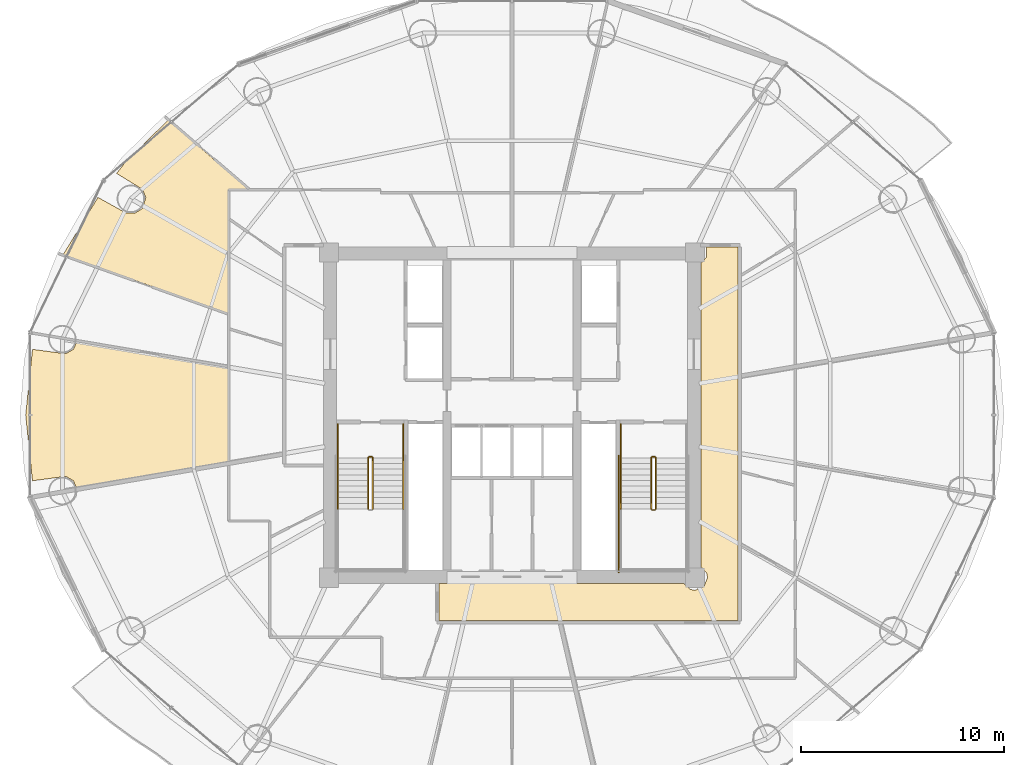
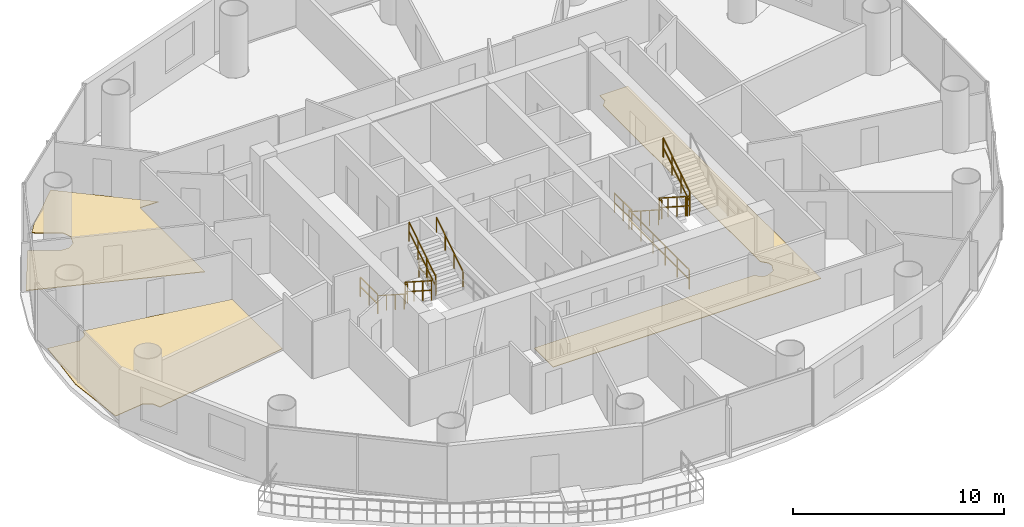
# One storey, part 25 of 26: 14 railings, 3 coverings.
"""IFC4 building model written with IfcOpenShell, lengths in metres."""

from ifc_helpers import new_model, si_unit, direction, frame, origin, origin_2d, place, context, subcontext, project, spatial, polyline, rectangle, outline, extrude, material, layer, layer_set, type_object, element, save


model = new_model("IFC4")

# Units and contexts
model_context = context("Model", 3, precision=1e-05, world=origin(), true_north=direction((-0.2419218956, 0.970295726276)))
body_context = subcontext(model_context, "Body", "Model", "MODEL_VIEW")
ifc_project = project(units=[si_unit("LENGTHUNIT", "METRE"), si_unit("AREAUNIT", "SQUARE_METRE"), si_unit("VOLUMEUNIT", "CUBIC_METRE"), si_unit("PLANEANGLEUNIT", "RADIAN"), si_unit("MASSUNIT", "GRAM", prefix="KILO")], contexts=[model_context])

# Site, building, storey
site_placement = place(None, origin())
site = spatial("IfcSite", under=ifc_project, at=site_placement, CompositionType="ELEMENT")
building_placement = place(site_placement, origin())
building = spatial("IfcBuilding", under=site, at=building_placement, Name="Cobrevalo Terracotta Tower", CompositionType="ELEMENT")
storey_placement = place(building_placement, frame((0.0, 0.0, 142.60009765625)))
storey = spatial("IfcBuildingStorey", under=building, at=storey_placement, Name="L37", CompositionType="ELEMENT", Elevation=142.60009765625)

# Coverings
ifc_material_1 = material(Name="Engineered Brazilian hardwood flooring", Category="wood")
ifc_layer_1 = layer(ifc_material_1, 0.028076171875)
ifc_layer_set_1 = layer_set([ifc_layer_1], Name="Engineered Brazilian hardwood flooring")
covering_type_1 = type_object("IfcCoveringType", Name="Engineered Hardwood Suite Flooring 28", PredefinedType="FLOORING", material=ifc_layer_set_1)
covering_1_placement = place(storey_placement, origin())
element("IfcCovering", 1, at=covering_1_placement, inside=storey, type_object=covering_type_1, Name="Flat L37B Master Bedroom floor finish", PredefinedType="FLOORING", context=body_context, shape_type="SweptSolid", body=[
    extrude(outline(polyline([(17.632568359375, 37.50634765625), (19.017822265625, 36.736572265625), (19.447265625, 36.725830078125), (19.810302734375, 36.955322265625), (19.988525390625, 37.4931640625), (19.834228515625, 37.89404296875), (18.551513671875, 38.6865234375), (19.02197265625, 39.29052734375), (21.0888671875, 41.308837890625), (25.049072265625, 37.905029296875), (24.044921875, 37.905029296875), (24.044921875, 31.78955078125), (15.918212890625, 34.6826171875), (17.632568359375, 37.50634765625)])), origin(), (0.0, 0.0, 1.0), 0.02978515625),
])
covering_2_placement = place(storey_placement, origin())
element("IfcCovering", 2, at=covering_2_placement, inside=storey, type_object=covering_type_1, Name="Flat L37B Penthouse Family Lounge floor finish", PredefinedType="FLOORING", context=body_context, shape_type="SweptSolid", body=[
    extrude(outline(polyline([(14.41357421875, 30.03369140625), (16.048583984375, 29.814697265625), (16.421630859375, 30.028076171875), (16.611572265625, 30.436279296875), (24.044921875, 29.16552734375), (24.044921875, 24.4345703125), (16.611572265625, 23.16357421875), (16.421630859375, 23.572021484375), (16.048583984375, 23.785400390625), (14.41357421875, 23.566162109375), (14.080078125, 26.800048828125), (14.41357421875, 30.03369140625)])), origin(), (0.0, 0.0, 1.0), 0.02978515625),
])
ifc_material_2 = material(Name="Honed terracotta and granite tile", Category="masonry")
ifc_layer_2 = layer(ifc_material_2, 0.034912109375)
ifc_layer_set_2 = layer_set([ifc_layer_2], Name="Honed terracotta and granite tile")
covering_type_2 = type_object("IfcCoveringType", Name="Honed Terracotta & Granite Interior Flooring 35", PredefinedType="FLOORING", material=ifc_layer_set_2)
covering_3_placement = place(storey_placement, origin())
element("IfcCovering", 3, at=covering_3_placement, inside=storey, type_object=covering_type_2, Name="L37 Residential Floor Corridor 1 floor finish", PredefinedType="FLOORING", context=body_context, shape_type="SweptSolid", body=[
    extrude(outline(polyline([(34.419921875, 18.5048828125), (46.46533203125, 18.5048828125), (46.7626953125, 18.226806640625), (47.0, 18.1796875), (47.438720703125, 18.361328125), (47.620361328125, 18.800048828125), (47.5732421875, 19.037353515625), (47.294921875, 19.334716796875), (47.294921875, 34.265380859375), (47.5732421875, 34.5625), (47.5615234375, 35.054931640625), (49.10498046875, 35.054931640625), (49.10498046875, 16.695068359375), (34.419921875, 16.695068359375), (34.419921875, 18.5048828125)])), origin(), (0.0, 0.0, 1.0), 0.02978515625),
])

# Railings
ifc_material_3 = material(Name="Brushed stainless steel", Category="steel")
railing_type_1 = type_object("IfcRailingType", Name="Stainless Steel Stair Handrail 900", PredefinedType="HANDRAIL", material=ifc_material_3)
railing_1_placement = place(storey_placement, frame((29.425048828125, 24.699951171875, 0.179931640625)))
element("IfcRailing", 4, at=railing_1_placement, inside=storey, type_object=railing_type_1, Name="L37 ST-1 stair handrail 1", PredefinedType="HANDRAIL", context=body_context, shape_type="SweptSolid", body=[
    extrude(rectangle(XDim=0.048095703125, YDim=0.048095703125, at=origin_2d()), frame((0.0, 0.0, 0.8759765625), z_axis=(0.0, -0.841199657755, 0.540724639528), x_axis=(1.0, 0.0, 0.0)), (0.0, 0.0, 1.0), 2.995849609375),
    extrude(rectangle(XDim=0.0419921875, YDim=0.0419921875, at=origin_2d()), origin(), (0.0, 0.0, 1.0), 0.851806640625),
    extrude(rectangle(XDim=0.0419921875, YDim=0.0419921875, at=origin_2d()), frame((0.0, -0.840087890625, 0.5400390625)), (0.0, 0.0, 1.0), 0.851806640625),
    extrude(rectangle(XDim=0.0419921875, YDim=0.0419921875, at=origin_2d()), frame((0.0, -1.679931640625, 1.079833984375)), (0.0, 0.0, 1.0), 0.851806640625),
    extrude(rectangle(XDim=0.0419921875, YDim=0.0419921875, at=origin_2d()), frame((0.0, -2.52001953125, 1.619873046875)), (0.0, 0.0, 1.0), 0.851806640625),
])
railing_2_placement = place(storey_placement, frame((32.64501953125, 22.179931640625, 1.97998046875)))
element("IfcRailing", 5, at=railing_2_placement, inside=storey, type_object=railing_type_1, Name="L37 ST-1 stair handrail 2", PredefinedType="HANDRAIL", context=body_context, shape_type="SweptSolid", body=[
    extrude(rectangle(XDim=0.048095703125, YDim=0.048095703125, at=origin_2d()), frame((0.0, 0.0, 0.8759765625), z_axis=(0.0, 0.841199657755, 0.540724639528), x_axis=(-1.0, 0.0, 0.0)), (0.0, 0.0, 1.0), 2.995849609375),
    extrude(rectangle(XDim=0.0419921875, YDim=0.0419921875, at=origin_2d()), origin(), (0.0, 0.0, 1.0), 0.851806640625),
    extrude(rectangle(XDim=0.0419921875, YDim=0.0419921875, at=origin_2d()), frame((0.0, 0.840087890625, 0.5400390625)), (0.0, 0.0, 1.0), 0.851806640625),
    extrude(rectangle(XDim=0.0419921875, YDim=0.0419921875, at=origin_2d()), frame((0.0, 1.679931640625, 1.079833984375)), (0.0, 0.0, 1.0), 0.851806640625),
    extrude(rectangle(XDim=0.0419921875, YDim=0.0419921875, at=origin_2d()), frame((0.0, 2.52001953125, 1.619873046875)), (0.0, 0.0, 1.0), 0.851806640625),
])
railing_3_placement = place(storey_placement, frame((43.35498046875, 24.699951171875, 0.179931640625)))
element("IfcRailing", 6, at=railing_3_placement, inside=storey, type_object=railing_type_1, Name="L37 ST-2 stair handrail 1", PredefinedType="HANDRAIL", context=body_context, shape_type="SweptSolid", body=[
    extrude(rectangle(XDim=0.048095703125, YDim=0.048095703125, at=origin_2d()), frame((0.0, 0.0, 0.8759765625), z_axis=(0.0, -0.841199657755, 0.540724639528), x_axis=(1.0, 0.0, 0.0)), (0.0, 0.0, 1.0), 2.995849609375),
    extrude(rectangle(XDim=0.0419921875, YDim=0.0419921875, at=origin_2d()), origin(), (0.0, 0.0, 1.0), 0.851806640625),
    extrude(rectangle(XDim=0.0419921875, YDim=0.0419921875, at=origin_2d()), frame((0.0, -0.840087890625, 0.5400390625)), (0.0, 0.0, 1.0), 0.851806640625),
    extrude(rectangle(XDim=0.0419921875, YDim=0.0419921875, at=origin_2d()), frame((0.0, -1.679931640625, 1.079833984375)), (0.0, 0.0, 1.0), 0.851806640625),
    extrude(rectangle(XDim=0.0419921875, YDim=0.0419921875, at=origin_2d()), frame((0.0, -2.52001953125, 1.619873046875)), (0.0, 0.0, 1.0), 0.851806640625),
])
ifc_material_4 = material(Name="Painted galvanized steel", Category="steel")
railing_type_2 = type_object("IfcRailingType", Name="Stair Well Guard Balustrade 1150", PredefinedType="GUARDRAIL", material=ifc_material_4)
railing_4_placement = place(storey_placement, frame((30.925048828125, 24.699951171875, 0.179931640625)))
element("IfcRailing", 7, at=railing_4_placement, inside=storey, type_object=railing_type_2, Name="L37 ST-1 stair guard 1", PredefinedType="GUARDRAIL", context=body_context, shape_type="SweptSolid", body=[
    extrude(rectangle(XDim=0.048095703125, YDim=0.048095703125, at=origin_2d()), frame((0.0, 0.0, 1.1259765625), z_axis=(0.0, -0.841199657755, 0.540724639528), x_axis=(1.0, 0.0, 0.0)), (0.0, 0.0, 1.0), 2.995849609375),
    extrude(rectangle(XDim=0.048095703125, YDim=0.048095703125, at=origin_2d()), frame((0.0, 0.0, 0.574951171875), z_axis=(0.0, -0.841199657755, 0.540724639528), x_axis=(1.0, 0.0, 0.0)), (0.0, 0.0, 1.0), 2.995849609375),
    extrude(rectangle(XDim=0.0419921875, YDim=0.0419921875, at=origin_2d()), origin(), (0.0, 0.0, 1.0), 1.101806640625),
    extrude(rectangle(XDim=0.0419921875, YDim=0.0419921875, at=origin_2d()), frame((0.0, -0.840087890625, 0.5400390625)), (0.0, 0.0, 1.0), 1.101806640625),
    extrude(rectangle(XDim=0.0419921875, YDim=0.0419921875, at=origin_2d()), frame((0.0, -1.679931640625, 1.079833984375)), (0.0, 0.0, 1.0), 1.101806640625),
    extrude(rectangle(XDim=0.0419921875, YDim=0.0419921875, at=origin_2d()), frame((0.0, -2.52001953125, 1.619873046875)), (0.0, 0.0, 1.0), 1.101806640625),
])
railing_5_placement = place(storey_placement, frame((31.14501953125, 22.179931640625, 1.97998046875)))
element("IfcRailing", 8, at=railing_5_placement, inside=storey, type_object=railing_type_2, Name="L37 ST-1 stair guard 6", PredefinedType="GUARDRAIL", context=body_context, shape_type="SweptSolid", body=[
    extrude(rectangle(XDim=0.048095703125, YDim=0.048095703125, at=origin_2d()), frame((0.0, 0.0, 1.1259765625), z_axis=(0.0, 0.841199657755, 0.540724639528), x_axis=(-1.0, 0.0, 0.0)), (0.0, 0.0, 1.0), 2.995849609375),
    extrude(rectangle(XDim=0.048095703125, YDim=0.048095703125, at=origin_2d()), frame((0.0, 0.0, 0.574951171875), z_axis=(0.0, 0.841199657755, 0.540724639528), x_axis=(-1.0, 0.0, 0.0)), (0.0, 0.0, 1.0), 2.995849609375),
    extrude(rectangle(XDim=0.0419921875, YDim=0.0419921875, at=origin_2d()), origin(), (0.0, 0.0, 1.0), 1.101806640625),
    extrude(rectangle(XDim=0.0419921875, YDim=0.0419921875, at=origin_2d()), frame((0.0, 0.840087890625, 0.5400390625)), (0.0, 0.0, 1.0), 1.101806640625),
    extrude(rectangle(XDim=0.0419921875, YDim=0.0419921875, at=origin_2d()), frame((0.0, 1.679931640625, 1.079833984375)), (0.0, 0.0, 1.0), 1.101806640625),
    extrude(rectangle(XDim=0.0419921875, YDim=0.0419921875, at=origin_2d()), frame((0.0, 2.52001953125, 1.619873046875)), (0.0, 0.0, 1.0), 1.101806640625),
])
railing_6_placement = place(storey_placement, frame((30.97509765625, 24.75, 0.0)))
element("IfcRailing", 9, at=railing_6_placement, inside=storey, type_object=railing_type_2, Name="L37 ST-1 stair guard 7", PredefinedType="GUARDRAIL", context=body_context, shape_type="SweptSolid", body=[
    extrude(rectangle(XDim=0.048095703125, YDim=0.048095703125, at=origin_2d()), frame((0.0, 0.0, 1.1259765625), z_axis=(1.0, 0.0, 0.0), x_axis=(0.0, 1.0, 0.0)), (0.0, 0.0, 1.0), 0.119873046875),
    extrude(rectangle(XDim=0.048095703125, YDim=0.048095703125, at=origin_2d()), frame((0.0, 0.0, 0.574951171875), z_axis=(1.0, 0.0, 0.0), x_axis=(0.0, 1.0, 0.0)), (0.0, 0.0, 1.0), 0.119873046875),
    extrude(rectangle(XDim=0.0419921875, YDim=0.0419921875, at=origin_2d()), origin(), (0.0, 0.0, 1.0), 1.101806640625),
    extrude(rectangle(XDim=0.0419921875, YDim=0.0419921875, at=origin_2d()), frame((0.119873046875, 0.0, 0.0)), (0.0, 0.0, 1.0), 1.101806640625),
])
for number, where, name in (
    (10, (29.425048828125, 26.35009765625, 0.0), "L37 ST-1 stair guard 8"),
    (11, (32.64501953125, 26.35009765625, 0.0), "L37 ST-1 stair guard 9"),
):
    element("IfcRailing", number, at=place(storey_placement, frame(where)), inside=storey, type_object=railing_type_2, Name=name, PredefinedType="GUARDRAIL", context=body_context, shape_type="SweptSolid", body=[
        extrude(rectangle(XDim=0.048095703125, YDim=0.048095703125, at=origin_2d()), frame((0.0, 0.0, 1.1259765625), z_axis=(0.0, -1.0, 0.0), x_axis=(1.0, 0.0, 0.0)), (0.0, 0.0, 1.0), 1.650146484375),
        extrude(rectangle(XDim=0.048095703125, YDim=0.048095703125, at=origin_2d()), frame((0.0, 0.0, 0.574951171875), z_axis=(0.0, -1.0, 0.0), x_axis=(1.0, 0.0, 0.0)), (0.0, 0.0, 1.0), 1.650146484375),
        extrude(rectangle(XDim=0.0419921875, YDim=0.0419921875, at=origin_2d()), origin(), (0.0, 0.0, 1.0), 1.101806640625),
        extrude(rectangle(XDim=0.0419921875, YDim=0.0419921875, at=origin_2d()), frame((0.0, -0.8251953125, 0.0)), (0.0, 0.0, 1.0), 1.101806640625),
        extrude(rectangle(XDim=0.0419921875, YDim=0.0419921875, at=origin_2d()), frame((0.0, -1.650146484375, 0.0)), (0.0, 0.0, 1.0), 1.101806640625),
    ])
railing_7_placement = place(storey_placement, frame((44.85498046875, 24.699951171875, 0.179931640625)))
element("IfcRailing", 12, at=railing_7_placement, inside=storey, type_object=railing_type_2, Name="L37 ST-2 stair guard 1", PredefinedType="GUARDRAIL", context=body_context, shape_type="SweptSolid", body=[
    extrude(rectangle(XDim=0.048095703125, YDim=0.048095703125, at=origin_2d()), frame((0.0, 0.0, 1.1259765625), z_axis=(0.0, -0.841199657755, 0.540724639528), x_axis=(1.0, 0.0, 0.0)), (0.0, 0.0, 1.0), 2.995849609375),
    extrude(rectangle(XDim=0.048095703125, YDim=0.048095703125, at=origin_2d()), frame((0.0, 0.0, 0.574951171875), z_axis=(0.0, -0.841199657755, 0.540724639528), x_axis=(1.0, 0.0, 0.0)), (0.0, 0.0, 1.0), 2.995849609375),
    extrude(rectangle(XDim=0.0419921875, YDim=0.0419921875, at=origin_2d()), origin(), (0.0, 0.0, 1.0), 1.101806640625),
    extrude(rectangle(XDim=0.0419921875, YDim=0.0419921875, at=origin_2d()), frame((0.0, -0.840087890625, 0.5400390625)), (0.0, 0.0, 1.0), 1.101806640625),
    extrude(rectangle(XDim=0.0419921875, YDim=0.0419921875, at=origin_2d()), frame((0.0, -1.679931640625, 1.079833984375)), (0.0, 0.0, 1.0), 1.101806640625),
    extrude(rectangle(XDim=0.0419921875, YDim=0.0419921875, at=origin_2d()), frame((0.0, -2.52001953125, 1.619873046875)), (0.0, 0.0, 1.0), 1.101806640625),
])
railing_8_placement = place(storey_placement, frame((44.905029296875, 22.1298828125, 1.7998046875)))
element("IfcRailing", 13, at=railing_8_placement, inside=storey, type_object=railing_type_2, Name="L37 ST-2 stair guard 2", PredefinedType="GUARDRAIL", context=body_context, shape_type="SweptSolid", body=[
    extrude(rectangle(XDim=0.048095703125, YDim=0.048095703125, at=origin_2d()), frame((0.0, 0.0, 1.1259765625), z_axis=(1.0, 0.0, 0.0), x_axis=(0.0, 1.0, 0.0)), (0.0, 0.0, 1.0), 0.119873046875),
    extrude(rectangle(XDim=0.048095703125, YDim=0.048095703125, at=origin_2d()), frame((0.0, 0.0, 0.574951171875), z_axis=(1.0, 0.0, 0.0), x_axis=(0.0, 1.0, 0.0)), (0.0, 0.0, 1.0), 0.119873046875),
    extrude(rectangle(XDim=0.0419921875, YDim=0.0419921875, at=origin_2d()), origin(), (0.0, 0.0, 1.0), 1.101806640625),
    extrude(rectangle(XDim=0.0419921875, YDim=0.0419921875, at=origin_2d()), frame((0.119873046875, 0.0, 0.0)), (0.0, 0.0, 1.0), 1.101806640625),
])
railing_9_placement = place(storey_placement, frame((45.074951171875, 22.179931640625, 1.97998046875)))
element("IfcRailing", 14, at=railing_9_placement, inside=storey, type_object=railing_type_2, Name="L37 ST-2 stair guard 6", PredefinedType="GUARDRAIL", context=body_context, shape_type="SweptSolid", body=[
    extrude(rectangle(XDim=0.048095703125, YDim=0.048095703125, at=origin_2d()), frame((0.0, 0.0, 1.1259765625), z_axis=(0.0, 0.841199657755, 0.540724639528), x_axis=(-1.0, 0.0, 0.0)), (0.0, 0.0, 1.0), 2.995849609375),
    extrude(rectangle(XDim=0.048095703125, YDim=0.048095703125, at=origin_2d()), frame((0.0, 0.0, 0.574951171875), z_axis=(0.0, 0.841199657755, 0.540724639528), x_axis=(-1.0, 0.0, 0.0)), (0.0, 0.0, 1.0), 2.995849609375),
    extrude(rectangle(XDim=0.0419921875, YDim=0.0419921875, at=origin_2d()), origin(), (0.0, 0.0, 1.0), 1.101806640625),
    extrude(rectangle(XDim=0.0419921875, YDim=0.0419921875, at=origin_2d()), frame((0.0, 0.840087890625, 0.5400390625)), (0.0, 0.0, 1.0), 1.101806640625),
    extrude(rectangle(XDim=0.0419921875, YDim=0.0419921875, at=origin_2d()), frame((0.0, 1.679931640625, 1.079833984375)), (0.0, 0.0, 1.0), 1.101806640625),
    extrude(rectangle(XDim=0.0419921875, YDim=0.0419921875, at=origin_2d()), frame((0.0, 2.52001953125, 1.619873046875)), (0.0, 0.0, 1.0), 1.101806640625),
])
railing_10_placement = place(storey_placement, frame((44.905029296875, 24.75, 0.0)))
element("IfcRailing", 15, at=railing_10_placement, inside=storey, type_object=railing_type_2, Name="L37 ST-2 stair guard 7", PredefinedType="GUARDRAIL", context=body_context, shape_type="SweptSolid", body=[
    extrude(rectangle(XDim=0.048095703125, YDim=0.048095703125, at=origin_2d()), frame((0.0, 0.0, 1.1259765625), z_axis=(1.0, 0.0, 0.0), x_axis=(0.0, 1.0, 0.0)), (0.0, 0.0, 1.0), 0.119873046875),
    extrude(rectangle(XDim=0.048095703125, YDim=0.048095703125, at=origin_2d()), frame((0.0, 0.0, 0.574951171875), z_axis=(1.0, 0.0, 0.0), x_axis=(0.0, 1.0, 0.0)), (0.0, 0.0, 1.0), 0.119873046875),
    extrude(rectangle(XDim=0.0419921875, YDim=0.0419921875, at=origin_2d()), origin(), (0.0, 0.0, 1.0), 1.101806640625),
    extrude(rectangle(XDim=0.0419921875, YDim=0.0419921875, at=origin_2d()), frame((0.119873046875, 0.0, 0.0)), (0.0, 0.0, 1.0), 1.101806640625),
])
railing_11_placement = place(storey_placement, frame((43.35498046875, 26.35009765625, 0.0)))
element("IfcRailing", 16, at=railing_11_placement, inside=storey, type_object=railing_type_2, Name="L37 ST-2 stair guard 8", PredefinedType="GUARDRAIL", context=body_context, shape_type="SweptSolid", body=[
    extrude(rectangle(XDim=0.048095703125, YDim=0.048095703125, at=origin_2d()), frame((0.0, 0.0, 1.1259765625), z_axis=(0.0, -1.0, 0.0), x_axis=(1.0, 0.0, 0.0)), (0.0, 0.0, 1.0), 1.650146484375),
    extrude(rectangle(XDim=0.048095703125, YDim=0.048095703125, at=origin_2d()), frame((0.0, 0.0, 0.574951171875), z_axis=(0.0, -1.0, 0.0), x_axis=(1.0, 0.0, 0.0)), (0.0, 0.0, 1.0), 1.650146484375),
    extrude(rectangle(XDim=0.0419921875, YDim=0.0419921875, at=origin_2d()), origin(), (0.0, 0.0, 1.0), 1.101806640625),
    extrude(rectangle(XDim=0.0419921875, YDim=0.0419921875, at=origin_2d()), frame((0.0, -0.8251953125, 0.0)), (0.0, 0.0, 1.0), 1.101806640625),
    extrude(rectangle(XDim=0.0419921875, YDim=0.0419921875, at=origin_2d()), frame((0.0, -1.650146484375, 0.0)), (0.0, 0.0, 1.0), 1.101806640625),
])
railing_12_placement = place(storey_placement, frame((43.2548828125, 24.800048828125, 0.0)))
element("IfcRailing", 17, at=railing_12_placement, inside=storey, type_object=railing_type_2, Name="L37 ST-2 stair guard 10", PredefinedType="GUARDRAIL", context=body_context, shape_type="SweptSolid", body=[
    extrude(rectangle(XDim=0.048095703125, YDim=0.048095703125, at=origin_2d()), frame((0.0, 0.0, 1.1259765625), z_axis=(0.0, -1.0, 0.0), x_axis=(1.0, 0.0, 0.0)), (0.0, 0.0, 1.0), 5.72509765625),
    extrude(rectangle(XDim=0.048095703125, YDim=0.048095703125, at=origin_2d()), frame((0.0, 0.0, 0.574951171875), z_axis=(0.0, -1.0, 0.0), x_axis=(1.0, 0.0, 0.0)), (0.0, 0.0, 1.0), 5.72509765625),
    extrude(rectangle(XDim=0.0419921875, YDim=0.0419921875, at=origin_2d()), origin(), (0.0, 0.0, 1.0), 1.101806640625),
    extrude(rectangle(XDim=0.0419921875, YDim=0.0419921875, at=origin_2d()), frame((0.0, -1.14501953125, 0.0)), (0.0, 0.0, 1.0), 1.101806640625),
    extrude(rectangle(XDim=0.0419921875, YDim=0.0419921875, at=origin_2d()), frame((0.0, -2.2900390625, 0.0)), (0.0, 0.0, 1.0), 1.101806640625),
    extrude(rectangle(XDim=0.0419921875, YDim=0.0419921875, at=origin_2d()), frame((0.0, -3.43505859375, 0.0)), (0.0, 0.0, 1.0), 1.101806640625),
    extrude(rectangle(XDim=0.0419921875, YDim=0.0419921875, at=origin_2d()), frame((0.0, -4.580078125, 0.0)), (0.0, 0.0, 1.0), 1.101806640625),
    extrude(rectangle(XDim=0.0419921875, YDim=0.0419921875, at=origin_2d()), frame((0.0, -5.72509765625, 0.0)), (0.0, 0.0, 1.0), 1.101806640625),
])

save(model, "model.ifc")
